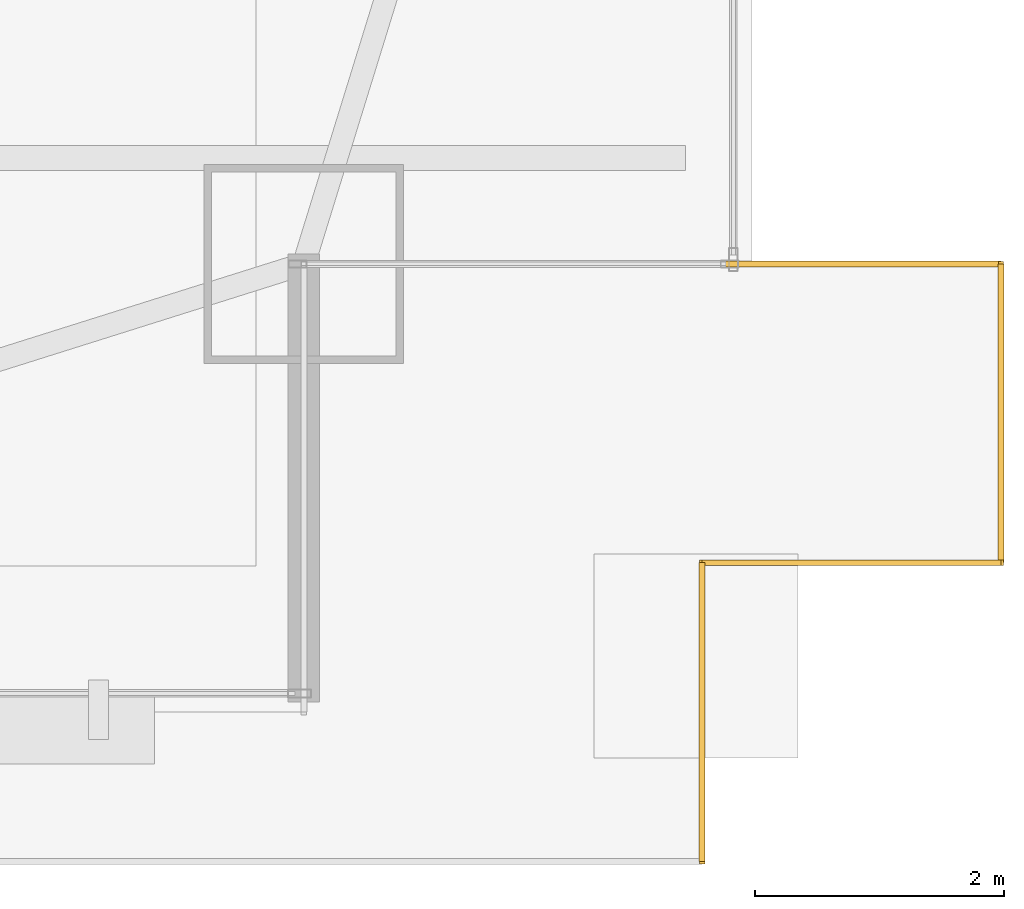
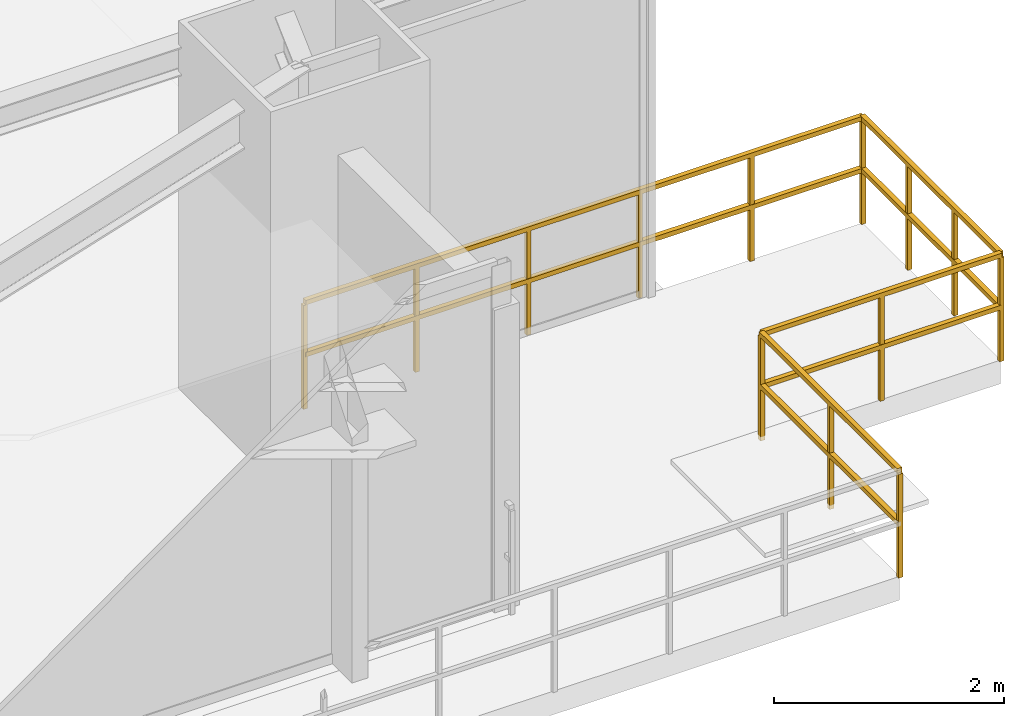
# One storey, part 34 of 34: 4 railings.
"""IFC4 building model written with IfcOpenShell, lengths in metres."""

from ifc_helpers import new_model, si_unit, direction, frame, origin, origin_2d, place, context, subcontext, project, spatial, rectangle, extrude, material, type_object, element, save


model = new_model("IFC4")

# Units and contexts
model_context = context("Model", 3, precision=1e-05, world=origin(), true_north=direction((0.0, 1.0)))
body_context = subcontext(model_context, "Body", "Model", "MODEL_VIEW")
ifc_project = project(units=[si_unit("LENGTHUNIT", "METRE"), si_unit("AREAUNIT", "SQUARE_METRE"), si_unit("VOLUMEUNIT", "CUBIC_METRE"), si_unit("PLANEANGLEUNIT", "RADIAN"), si_unit("MASSUNIT", "GRAM", prefix="KILO")], contexts=[model_context])

# Site, building, storey
site_placement = place(None, origin())
site = spatial("IfcSite", under=ifc_project, at=site_placement, CompositionType="ELEMENT")
building_placement = place(site_placement, origin())
building = spatial("IfcBuilding", under=site, at=building_placement, Name="Varnel Quay Broadcast Tower", CompositionType="ELEMENT")
storey_placement = place(building_placement, frame((0.0, 0.0, 27.60009765625)))
storey = spatial("IfcBuildingStorey", under=building, at=storey_placement, Name="L05", CompositionType="ELEMENT", Elevation=27.60009765625)

# Railings
ifc_material = material(Name="Anodised Bronze Aluminium 6063-T6", Category="aluminium")
railing_type = type_object("IfcRailingType", Name="Rail_Balustrade1150", PredefinedType="BALUSTRADE", material=ifc_material)
railing_1_placement = place(storey_placement, frame((65.60009765625, 0.0, 0.0)))
element("IfcRailing", 1, at=railing_1_placement, inside=storey, type_object=railing_type, Name="L05 Terrace 2 Guard 2", PredefinedType="BALUSTRADE", context=body_context, shape_type="SweptSolid", body=[
    extrude(rectangle(XDim=0.048095703125, YDim=0.048095703125, at=origin_2d()), frame((0.0, 0.0, 1.1259765625), z_axis=(0.0, 1.0, 0.0), x_axis=(-1.0, 0.0, 0.0)), (0.0, 0.0, 1.0), 2.39990234375),
    extrude(rectangle(XDim=0.048095703125, YDim=0.048095703125, at=origin_2d()), frame((0.0, 0.0, 0.574951171875), z_axis=(0.0, 1.0, 0.0), x_axis=(-1.0, 0.0, 0.0)), (0.0, 0.0, 1.0), 2.39990234375),
    extrude(rectangle(XDim=0.0419921875, YDim=0.0419921875, at=origin_2d()), origin(), (0.0, 0.0, 1.0), 1.101806640625),
    extrude(rectangle(XDim=0.0419921875, YDim=0.0419921875, at=origin_2d()), frame((0.0, 1.199951171875, 0.0)), (0.0, 0.0, 1.0), 1.101806640625),
    extrude(rectangle(XDim=0.0419921875, YDim=0.0419921875, at=origin_2d()), frame((0.0, 2.39990234375, 0.0)), (0.0, 0.0, 1.0), 1.101806640625),
])
railing_2_placement = place(storey_placement, frame((65.60009765625, 2.39990234375, 0.0)))
element("IfcRailing", 2, at=railing_2_placement, inside=storey, type_object=railing_type, Name="L05 Terrace 2 Guard 3", PredefinedType="BALUSTRADE", context=body_context, shape_type="SweptSolid", body=[
    extrude(rectangle(XDim=0.048095703125, YDim=0.048095703125, at=origin_2d()), frame((0.0, 0.0, 1.1259765625), z_axis=(1.0, 0.0, 0.0), x_axis=(0.0, 1.0, 0.0)), (0.0, 0.0, 1.0), 2.39990234375),
    extrude(rectangle(XDim=0.048095703125, YDim=0.048095703125, at=origin_2d()), frame((0.0, 0.0, 0.574951171875), z_axis=(1.0, 0.0, 0.0), x_axis=(0.0, 1.0, 0.0)), (0.0, 0.0, 1.0), 2.39990234375),
    extrude(rectangle(XDim=0.0419921875, YDim=0.0419921875, at=origin_2d()), origin(), (0.0, 0.0, 1.0), 1.101806640625),
    extrude(rectangle(XDim=0.0419921875, YDim=0.0419921875, at=origin_2d()), frame((1.199951171875, 0.0, 0.0)), (0.0, 0.0, 1.0), 1.101806640625),
    extrude(rectangle(XDim=0.0419921875, YDim=0.0419921875, at=origin_2d()), frame((2.39990234375, 0.0, 0.0)), (0.0, 0.0, 1.0), 1.101806640625),
])
railing_3_placement = place(storey_placement, frame((68.0, 2.39990234375, 0.0)))
element("IfcRailing", 3, at=railing_3_placement, inside=storey, type_object=railing_type, Name="L05 Terrace 2 Guard 4", PredefinedType="BALUSTRADE", context=body_context, shape_type="SweptSolid", body=[
    extrude(rectangle(XDim=0.048095703125, YDim=0.048095703125, at=origin_2d()), frame((0.0, 0.0, 1.1259765625), z_axis=(0.0, 1.0, 0.0), x_axis=(-1.0, 0.0, 0.0)), (0.0, 0.0, 1.0), 2.400146484375),
    extrude(rectangle(XDim=0.048095703125, YDim=0.048095703125, at=origin_2d()), frame((0.0, 0.0, 0.574951171875), z_axis=(0.0, 1.0, 0.0), x_axis=(-1.0, 0.0, 0.0)), (0.0, 0.0, 1.0), 2.400146484375),
    extrude(rectangle(XDim=0.0419921875, YDim=0.0419921875, at=origin_2d()), origin(), (0.0, 0.0, 1.0), 1.101806640625),
    extrude(rectangle(XDim=0.0419921875, YDim=0.0419921875, at=origin_2d()), frame((0.0, 0.800048828125, 0.0)), (0.0, 0.0, 1.0), 1.101806640625),
    extrude(rectangle(XDim=0.0419921875, YDim=0.0419921875, at=origin_2d()), frame((0.0, 1.60009765625, 0.0)), (0.0, 0.0, 1.0), 1.101806640625),
    extrude(rectangle(XDim=0.0419921875, YDim=0.0419921875, at=origin_2d()), frame((0.0, 2.400146484375, 0.0)), (0.0, 0.0, 1.0), 1.101806640625),
])
railing_4_placement = place(storey_placement, frame((68.0, 4.800048828125, 0.0)))
element("IfcRailing", 4, at=railing_4_placement, inside=storey, type_object=railing_type, Name="L05 Terrace 2 Guard 5", PredefinedType="BALUSTRADE", context=body_context, shape_type="SweptSolid", body=[
    extrude(rectangle(XDim=0.048095703125, YDim=0.048095703125, at=origin_2d()), frame((0.0, 0.0, 1.1259765625), z_axis=(-1.0, 0.0, 0.0), x_axis=(0.0, -1.0, 0.0)), (0.0, 0.0, 1.0), 5.60009765625),
    extrude(rectangle(XDim=0.048095703125, YDim=0.048095703125, at=origin_2d()), frame((0.0, 0.0, 0.574951171875), z_axis=(-1.0, 0.0, 0.0), x_axis=(0.0, -1.0, 0.0)), (0.0, 0.0, 1.0), 5.60009765625),
    extrude(rectangle(XDim=0.0419921875, YDim=0.0419921875, at=origin_2d()), origin(), (0.0, 0.0, 1.0), 1.101806640625),
    extrude(rectangle(XDim=0.0419921875, YDim=0.0419921875, at=origin_2d()), frame((-1.1201171875, 0.0, 0.0)), (0.0, 0.0, 1.0), 1.101806640625),
    extrude(rectangle(XDim=0.0419921875, YDim=0.0419921875, at=origin_2d()), frame((-2.239990234375, 0.0, 0.0)), (0.0, 0.0, 1.0), 1.101806640625),
    extrude(rectangle(XDim=0.0419921875, YDim=0.0419921875, at=origin_2d()), frame((-3.360107421875, 0.0, 0.0)), (0.0, 0.0, 1.0), 1.101806640625),
    extrude(rectangle(XDim=0.0419921875, YDim=0.0419921875, at=origin_2d()), frame((-4.47998046875, 0.0, 0.0)), (0.0, 0.0, 1.0), 1.101806640625),
    extrude(rectangle(XDim=0.0419921875, YDim=0.0419921875, at=origin_2d()), frame((-5.60009765625, 0.0, 0.0)), (0.0, 0.0, 1.0), 1.101806640625),
])

save(model, "model.ifc")
